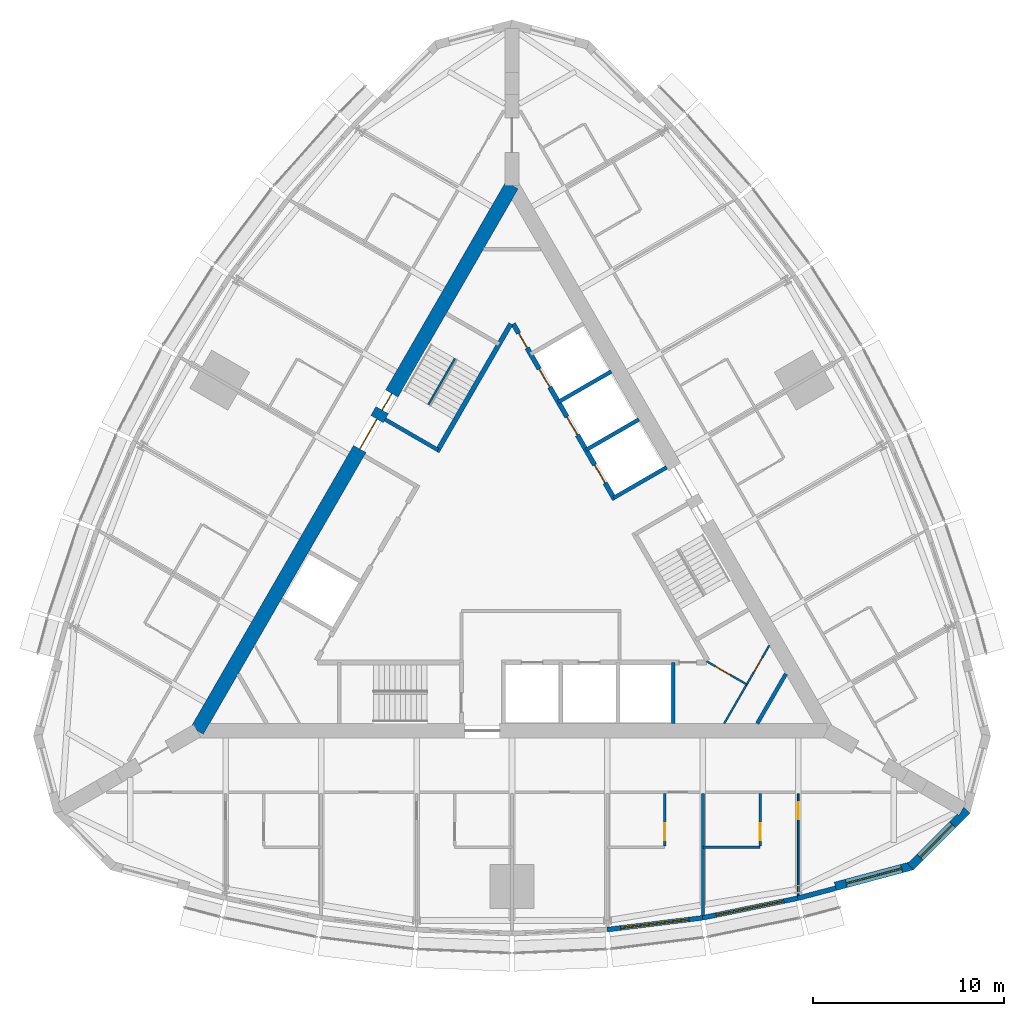
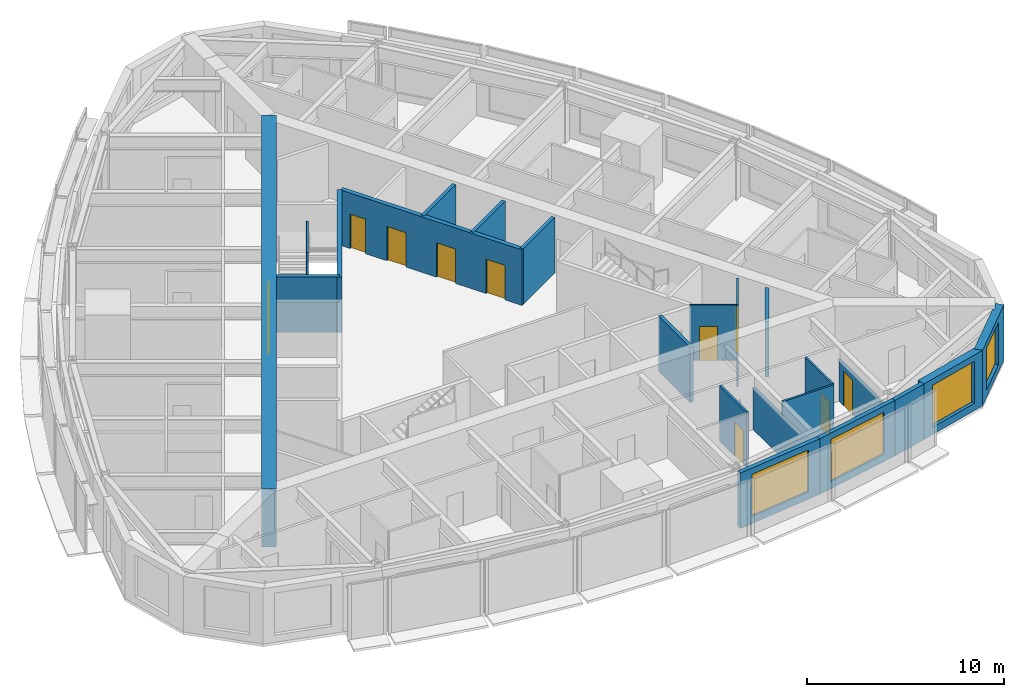
# One storey, part 11 of 15: 22 walls, 11 doors, 4 windows, 15 openings.
"""IFC4 building model written with IfcOpenShell, lengths in metres."""

from ifc_helpers import new_model, si_unit, direction, frame, frame_2d, origin, place, context, subcontext, project, spatial, polyline, rectangle, outline, extrude, material, layer, layer_set, type_object, element, fill, save


model = new_model("IFC4")

# Units and contexts
model_context = context("Model", 3, precision=1e-05, world=origin(), true_north=direction((0.0, 1.0)))
body_context = subcontext(model_context, "Body", "Model", "MODEL_VIEW")
ifc_project = project(units=[si_unit("LENGTHUNIT", "METRE"), si_unit("AREAUNIT", "SQUARE_METRE"), si_unit("VOLUMEUNIT", "CUBIC_METRE"), si_unit("PLANEANGLEUNIT", "RADIAN"), si_unit("MASSUNIT", "GRAM", prefix="KILO")], contexts=[model_context])

# Site, building, storey
site_placement = place(None, origin())
site = spatial("IfcSite", under=ifc_project, at=site_placement, CompositionType="ELEMENT")
building_placement = place(site_placement, origin())
building = spatial("IfcBuilding", under=site, at=building_placement, Name="Trikona Tower", CompositionType="ELEMENT")
storey_placement = place(building_placement, frame((0.0, 0.0, 222.5)))
storey = spatial("IfcBuildingStorey", under=building, at=storey_placement, Name="L59", CompositionType="ELEMENT", Elevation=222.5)

# Wall, opening, door
ifc_material_1 = material(Name="Metal stud and cement board", Category="gypsum")
ifc_layer_1 = layer(ifc_material_1, 0.1201171875)
ifc_layer_set_1 = layer_set([ifc_layer_1], Name="Bathroom wall 120")
wall_type_1 = type_object("IfcWallType", Name="Bathroom wall 120", PredefinedType="PLUMBINGWALL", material=ifc_layer_set_1)
wall_1_placement = place(storey_placement, frame((8.0, -12.826416015625, 0.0), z_axis=(0.0, 0.0, 1.0), x_axis=(0.0, -1.0, 0.0)))
wall_1 = element("IfcWall", 1, at=wall_1_placement, inside=storey, type_object=wall_type_1, Name="Bathroom wall 5903", PredefinedType="PLUMBINGWALL", context=body_context, shape_type="SweptSolid", body=[
    extrude(rectangle(XDim=2.739990234375, YDim=0.1201171875, at=frame_2d((1.3701171875, 0.0))), origin(), (0.0, 0.0, 1.0), 3.43505859375),
])
opening_1_placement = place(wall_1_placement, frame((1.550048828125, 0.0, 0.0)))
opening_1 = element("IfcOpeningElement", 2, at=opening_1_placement, cuts=wall_1, Name="Opening D2", PredefinedType="OPENING", context=body_context, shape_type="SweptSolid", body=[
    extrude(rectangle(XDim=0.89990234375, YDim=2.1298828125, at=frame_2d((0.449951171875, 1.06494140625))), frame((0.0, 0.070068359375, 0.0), z_axis=(0.0, -1.0, 0.0), x_axis=(1.0, 0.0, 0.0)), (0.0, 0.0, 1.0), 0.14013671875),
])
ifc_material_2 = material(Name="Steel door frame with solid-core timber leaf", Category="steel")
door_type_1 = type_object("IfcDoorType", Name="Bathroom door 900x2130", OperationType="SLIDING_TO_LEFT", PredefinedType="DOOR", material=ifc_material_2)
door_1_placement = place(opening_1_placement, origin())
door_1 = element("IfcDoor", 3, at=door_1_placement, inside=storey, type_object=door_type_1, Name="Bathroom door 5903", OperationType="SLIDING_TO_LEFT", OverallHeight=2.1298828125, OverallWidth=0.89990234375, PredefinedType="DOOR", context=body_context, shape_type="SweptSolid", body=[
    extrude(rectangle(XDim=0.89990234375, YDim=2.1298828125, at=frame_2d((0.449951171875, 1.06494140625))), frame((0.0, 0.02490234375, 0.0), z_axis=(0.0, -1.0, 0.0), x_axis=(1.0, 0.0, 0.0)), (0.0, 0.0, 1.0), 0.050048828125),
])
fill(opening_1, door_1)

# Wall
wall_2_placement = place(storey_placement, frame((10.0, -15.626220703125, 0.0), z_axis=(0.0, 0.0, 1.0), x_axis=(1.0, 0.0, 0.0)))
element("IfcWall", 4, at=wall_2_placement, inside=storey, type_object=wall_type_1, Name="Bathroom wall 5904.1", PredefinedType="PLUMBINGWALL", context=body_context, shape_type="SweptSolid", body=[
    extrude(rectangle(XDim=3.0, YDim=0.1201171875, at=frame_2d((1.5, 0.0))), origin(), (0.0, 0.0, 1.0), 3.43505859375),
])

# Wall, opening, door
wall_3_placement = place(storey_placement, frame((13.0, -12.826416015625, 0.0), z_axis=(0.0, 0.0, 1.0), x_axis=(0.0, -1.0, 0.0)))
wall_3 = element("IfcWall", 5, at=wall_3_placement, inside=storey, type_object=wall_type_1, Name="Bathroom wall 5904.1", PredefinedType="PLUMBINGWALL", context=body_context, shape_type="SweptSolid", body=[
    extrude(rectangle(XDim=2.739990234375, YDim=0.1201171875, at=frame_2d((1.3701171875, 0.0))), origin(), (0.0, 0.0, 1.0), 3.43505859375),
])
opening_2_placement = place(wall_3_placement, frame((1.550048828125, 0.0, 0.0)))
opening_2 = element("IfcOpeningElement", 6, at=opening_2_placement, cuts=wall_3, Name="Opening D2", PredefinedType="OPENING", context=body_context, shape_type="SweptSolid", body=[
    extrude(rectangle(XDim=0.89990234375, YDim=2.1298828125, at=frame_2d((0.449951171875, 1.06494140625))), frame((0.0, 0.070068359375, 0.0), z_axis=(0.0, -1.0, 0.0), x_axis=(1.0, 0.0, 0.0)), (0.0, 0.0, 1.0), 0.14013671875),
])
door_2_placement = place(opening_2_placement, origin())
door_2 = element("IfcDoor", 7, at=door_2_placement, inside=storey, type_object=door_type_1, Name="Bathroom door 5904.1", OperationType="SLIDING_TO_LEFT", OverallHeight=2.1298828125, OverallWidth=0.89990234375, PredefinedType="DOOR", context=body_context, shape_type="SweptSolid", body=[
    extrude(rectangle(XDim=0.89990234375, YDim=2.1298828125, at=frame_2d((0.449951171875, 1.06494140625))), frame((0.0, 0.02490234375, 0.0), z_axis=(0.0, -1.0, 0.0), x_axis=(1.0, 0.0, 0.0)), (0.0, 0.0, 1.0), 0.050048828125),
])
fill(opening_2, door_2)

# Wall, opening, window
ifc_material_3 = material(Name="Brick-faced precast concrete", Category="masonry")
ifc_layer_2 = layer(ifc_material_3, 0.449951171875)
ifc_layer_set_2 = layer_set([ifc_layer_2], Name="Brick-faced corner wall 450")
wall_type_2 = type_object("IfcWallType", Name="Brick-faced corner wall 450", PredefinedType="SOLIDWALL", material=ifc_layer_set_2)
wall_4_placement = place(storey_placement, frame((16.94189453125, -17.6806640625, 0.0), z_axis=(0.0, 0.0, 1.0), x_axis=(0.965920442324, 0.258839137498, 0.0)))
wall_4 = element("IfcWall", 8, at=wall_4_placement, inside=storey, type_object=wall_type_2, Name="External wall L59-08", PredefinedType="SOLIDWALL", context=body_context, shape_type="SweptSolid", body=[
    extrude(rectangle(XDim=4.18408203125, YDim=0.449951171875, at=frame_2d((2.092041015625, 0.0))), origin(), (0.0, 0.0, 1.0), 3.43505859375),
])
opening_3_placement = place(wall_4_placement, frame((0.592041015625, 0.0, 0.449951171875)))
opening_3 = element("IfcOpeningElement", 9, at=opening_3_placement, cuts=wall_4, Name="Opening W3026", PredefinedType="OPENING", context=body_context, shape_type="SweptSolid", body=[
    extrude(rectangle(XDim=3.0, YDim=2.60009765625, at=frame_2d((1.5, 1.300048828125))), frame((0.0, 0.23486328125, 0.0), z_axis=(0.0, -1.0, 0.0), x_axis=(1.0, 0.0, 0.0)), (0.0, 0.0, 1.0), 0.469970703125),
])
ifc_material_4 = material(Name="Aluminium-framed double glazing", Category="aluminium")
window_type_1 = type_object("IfcWindowType", Name="Window 3000x2600", PartitioningType="SINGLE_PANEL", PredefinedType="WINDOW", material=ifc_material_4)
window_1_placement = place(opening_3_placement, origin())
window_1 = element("IfcWindow", 10, at=window_1_placement, inside=storey, type_object=window_type_1, Name="Window 5904", OverallHeight=2.60009765625, OverallWidth=3.0, PartitioningType="SINGLE_PANEL", PredefinedType="WINDOW", context=body_context, shape_type="SweptSolid", body=[
    extrude(rectangle(XDim=3.0, YDim=2.60009765625, at=frame_2d((1.5, 1.300048828125))), frame((0.0, 0.030029296875, 0.0), z_axis=(0.0, -1.0, 0.0), x_axis=(1.0, 0.0, 0.0)), (0.0, 0.0, 1.0), 0.06005859375),
])
fill(opening_3, window_1)

wall_5_placement = place(storey_placement, frame((20.88232421875, -16.656005859375, 0.0), z_axis=(0.0, 0.0, 1.0), x_axis=(0.707077605902, 0.707135955267, 0.0)))
wall_5 = element("IfcWall", 11, at=wall_5_placement, inside=storey, type_object=wall_type_2, Name="External wall L59-09", PredefinedType="SOLIDWALL", context=body_context, shape_type="SweptSolid", body=[
    extrude(outline(polyline([(4.18408203125, 0.22509765625), (4.125244140625, 0.22509765625), (3.705322265625, 0.112548828125), (3.67529296875, 0.22509765625), (0.0, 0.22509765625), (0.0, -0.22509765625), (4.18408203125, -0.22509765625), (4.18408203125, 0.22509765625)])), origin(), (0.0, 0.0, 1.0), 3.43505859375),
])
opening_4_placement = place(wall_5_placement, frame((0.712646484375, 0.0, 0.449951171875)))
opening_4 = element("IfcOpeningElement", 12, at=opening_4_placement, cuts=wall_5, Name="Opening W2426", PredefinedType="OPENING", context=body_context, shape_type="SweptSolid", body=[
    extrude(rectangle(XDim=2.39990234375, YDim=2.60009765625, at=frame_2d((1.199951171875, 1.300048828125))), frame((0.0, 0.23486328125, 0.0), z_axis=(0.0, -1.0, 0.0), x_axis=(1.0, 0.0, 0.0)), (0.0, 0.0, 1.0), 0.469970703125),
])
ifc_material_5 = material(Name="Aluminium-framed double glazing", Category="aluminium")
window_type_2 = type_object("IfcWindowType", Name="Window 2400x2600", PartitioningType="SINGLE_PANEL", PredefinedType="WINDOW", material=ifc_material_5)
window_2_placement = place(opening_4_placement, origin())
window_2 = element("IfcWindow", 13, at=window_2_placement, inside=storey, type_object=window_type_2, Name="Window 5904", OverallHeight=2.60009765625, OverallWidth=2.39990234375, PartitioningType="SINGLE_PANEL", PredefinedType="WINDOW", context=body_context, shape_type="SweptSolid", body=[
    extrude(rectangle(XDim=2.39990234375, YDim=2.60009765625, at=frame_2d((1.199951171875, 1.300048828125))), frame((0.0, 0.030029296875, 0.0), z_axis=(0.0, -1.0, 0.0), x_axis=(1.0, 0.0, 0.0)), (0.0, 0.0, 1.0), 0.06005859375),
])
fill(opening_4, window_2)

# Wall, openings, doors
ifc_material_6 = material(Name="Concrete f'c 10000 psi", Category="concrete")
ifc_layer_3 = layer(ifc_material_6, 0.75)
ifc_layer_set_3 = layer_set([ifc_layer_3], Name="Core wall 750")
wall_type_3 = type_object("IfcWallType", Name="Core wall 750", PredefinedType="SHEAR", material=ifc_layer_set_3)
wall_6_placement = place(storey_placement, frame((0.0, 19.052490234375, 0.0), z_axis=(0.0, 0.0, 1.0), x_axis=(-0.499999749417, -0.866025548458, 0.0)))
wall_6 = element("IfcWall", 14, at=wall_6_placement, inside=storey, type_object=wall_type_3, Name="Core wall C", PredefinedType="SHEAR", context=body_context, shape_type="SweptSolid", body=[
    extrude(rectangle(XDim=33.0, YDim=0.75, at=frame_2d((16.5, 0.0))), origin(), (0.0, 0.0, 1.0), 3.60009765625),
])
opening_5_placement = place(wall_6_placement, frame((14.14990234375, 0.0, 0.0)))
opening_5 = element("IfcOpeningElement", 15, at=opening_5_placement, cuts=wall_6, Name="Opening D6", PredefinedType="OPENING", context=body_context, shape_type="SweptSolid", body=[
    extrude(rectangle(XDim=1.800048828125, YDim=2.1298828125, at=frame_2d((0.89990234375, 1.06494140625))), frame((0.0, 0.385009765625, 0.0), z_axis=(0.0, -1.0, 0.0), x_axis=(1.0, 0.0, 0.0)), (0.0, 0.0, 1.0), 0.77001953125),
])
opening_6_placement = place(wall_6_placement, frame((12.60009765625, 0.0, 0.0)))
opening_6 = element("IfcOpeningElement", 16, at=opening_6_placement, cuts=wall_6, Name="Opening D5", PredefinedType="OPENING", context=body_context, shape_type="SweptSolid", body=[
    extrude(rectangle(XDim=1.0, YDim=2.1298828125, at=frame_2d((0.5, 1.06494140625))), frame((0.0, 0.385009765625, 0.0), z_axis=(0.0, -1.0, 0.0), x_axis=(1.0, 0.0, 0.0)), (0.0, 0.0, 1.0), 0.77001953125),
])
ifc_material_7 = material(Name="Hollow metal door and frame", Category="steel")
door_type_2 = type_object("IfcDoorType", Name="Lobby door pair 1800x2130", OperationType="DOUBLE_DOOR_SINGLE_SWING", PredefinedType="DOOR", material=ifc_material_7)
door_3_placement = place(opening_5_placement, origin())
door_3 = element("IfcDoor", 17, at=door_3_placement, inside=storey, type_object=door_type_2, Name="Lift lobby door C", OperationType="DOUBLE_DOOR_SINGLE_SWING", OverallHeight=2.1298828125, OverallWidth=1.800048828125, PredefinedType="DOOR", context=body_context, shape_type="SweptSolid", body=[
    extrude(rectangle(XDim=1.800048828125, YDim=2.1298828125, at=frame_2d((0.89990234375, 1.06494140625))), frame((0.0, 0.02490234375, 0.0), z_axis=(0.0, -1.0, 0.0), x_axis=(1.0, 0.0, 0.0)), (0.0, 0.0, 1.0), 0.050048828125),
])
fill(opening_5, door_3)
ifc_material_8 = material(Name="Hollow metal door and frame", Category="steel")
door_type_3 = type_object("IfcDoorType", Name="Stair door 1000x2130", OperationType="SINGLE_SWING_LEFT", PredefinedType="DOOR", material=ifc_material_8)
door_4_placement = place(opening_6_placement, origin())
door_4 = element("IfcDoor", 18, at=door_4_placement, inside=storey, type_object=door_type_3, Name="Stair C door", OperationType="SINGLE_SWING_RIGHT", OverallHeight=2.1298828125, OverallWidth=1.0, PredefinedType="DOOR", context=body_context, shape_type="SweptSolid", body=[
    extrude(rectangle(XDim=1.0, YDim=2.1298828125, at=frame_2d((0.5, 1.06494140625))), frame((0.0, 0.02490234375, 0.0), z_axis=(0.0, -1.0, 0.0), x_axis=(1.0, 0.0, 0.0)), (0.0, 0.0, 1.0), 0.050048828125),
])
fill(opening_6, door_4)

ifc_material_9 = material(Name="Concrete f'c 8000 psi", Category="concrete")
ifc_layer_4 = layer(ifc_material_9, 0.25)
ifc_layer_set_4 = layer_set([ifc_layer_4], Name="Hub wall 250")
wall_type_4 = type_object("IfcWallType", Name="Hub wall 250", PredefinedType="SOLIDWALL", material=ifc_layer_set_4)
wall_7_placement = place(storey_placement, frame((5.37890625, 2.5859375, 0.0), z_axis=(0.0, 0.0, 1.0), x_axis=(-0.500001375892, 0.866024609411, 0.0)))
wall_7 = element("IfcWall", 19, at=wall_7_placement, inside=storey, type_object=wall_type_4, Name="Lift lobby wall B2", PredefinedType="SOLIDWALL", context=body_context, shape_type="SweptSolid", body=[
    extrude(rectangle(XDim=10.6328125, YDim=0.25, at=frame_2d((5.31640625, 0.0))), origin(), (0.0, 0.0, 1.0), 3.43505859375),
])
opening_7_placement = place(wall_7_placement, frame((9.1640625, 0.0, 0.0)))
opening_7 = element("IfcOpeningElement", 20, at=opening_7_placement, cuts=wall_7, Name="Opening D14", PredefinedType="OPENING", context=body_context, shape_type="SweptSolid", body=[
    extrude(rectangle(XDim=0.89990234375, YDim=2.1298828125, at=frame_2d((0.449951171875, 1.06494140625))), frame((0.0, 0.135009765625, 0.0), z_axis=(0.0, -1.0, 0.0), x_axis=(1.0, 0.0, 0.0)), (0.0, 0.0, 1.0), 0.27001953125),
])
opening_8_placement = place(wall_7_placement, frame((1.0, 0.0, 0.0)))
opening_8 = element("IfcOpeningElement", 21, at=opening_8_placement, cuts=wall_7, Name="Opening LD", PredefinedType="OPENING", context=body_context, shape_type="SweptSolid", body=[
    extrude(rectangle(XDim=1.10009765625, YDim=2.1298828125, at=frame_2d((0.550048828125, 1.06494140625))), frame((0.0, 0.135009765625, 0.0), z_axis=(0.0, -1.0, 0.0), x_axis=(1.0, 0.0, 0.0)), (0.0, 0.0, 1.0), 0.27001953125),
])
opening_9_placement = place(wall_7_placement, frame((3.89990234375, 0.0, 0.0)))
opening_9 = element("IfcOpeningElement", 22, at=opening_9_placement, cuts=wall_7, Name="Opening LD", PredefinedType="OPENING", context=body_context, shape_type="SweptSolid", body=[
    extrude(rectangle(XDim=1.10009765625, YDim=2.1298828125, at=frame_2d((0.550048828125, 1.06494140625))), frame((0.0, 0.135009765625, 0.0), z_axis=(0.0, -1.0, 0.0), x_axis=(1.0, 0.0, 0.0)), (0.0, 0.0, 1.0), 0.27001953125),
])
opening_10_placement = place(wall_7_placement, frame((6.800048828125, 0.0, 0.0)))
opening_10 = element("IfcOpeningElement", 23, at=opening_10_placement, cuts=wall_7, Name="Opening LD", PredefinedType="OPENING", context=body_context, shape_type="SweptSolid", body=[
    extrude(rectangle(XDim=1.10009765625, YDim=2.1298828125, at=frame_2d((0.550048828125, 1.06494140625))), frame((0.0, 0.135009765625, 0.0), z_axis=(0.0, -1.0, 0.0), x_axis=(1.0, 0.0, 0.0)), (0.0, 0.0, 1.0), 0.27001953125),
])
ifc_material_10 = material(Name="Stainless steel lift landing door", Category="steel")
door_type_4 = type_object("IfcDoorType", Name="Lift landing door 1100x2130", OperationType="DOUBLE_DOOR_SLIDING", PredefinedType="USERDEFINED", material=ifc_material_10)
door_5_placement = place(opening_8_placement, origin())
door_5 = element("IfcDoor", 24, at=door_5_placement, inside=storey, type_object=door_type_4, Name="Lift landing door L3-1", ObjectType="LIFT LANDING DOOR", OperationType="DOUBLE_DOOR_SLIDING", OverallHeight=2.1298828125, OverallWidth=1.10009765625, PredefinedType="USERDEFINED", context=body_context, shape_type="SweptSolid", body=[
    extrude(rectangle(XDim=1.10009765625, YDim=2.1298828125, at=frame_2d((0.550048828125, 1.06494140625))), frame((0.0, 0.02490234375, 0.0), z_axis=(0.0, -1.0, 0.0), x_axis=(1.0, 0.0, 0.0)), (0.0, 0.0, 1.0), 0.050048828125),
])
fill(opening_8, door_5)
door_6_placement = place(opening_9_placement, origin())
door_6 = element("IfcDoor", 25, at=door_6_placement, inside=storey, type_object=door_type_4, Name="Lift landing door L3-2", ObjectType="LIFT LANDING DOOR", OperationType="DOUBLE_DOOR_SLIDING", OverallHeight=2.1298828125, OverallWidth=1.10009765625, PredefinedType="USERDEFINED", context=body_context, shape_type="SweptSolid", body=[
    extrude(rectangle(XDim=1.10009765625, YDim=2.1298828125, at=frame_2d((0.550048828125, 1.06494140625))), frame((0.0, 0.02490234375, 0.0), z_axis=(0.0, -1.0, 0.0), x_axis=(1.0, 0.0, 0.0)), (0.0, 0.0, 1.0), 0.050048828125),
])
fill(opening_9, door_6)
door_7_placement = place(opening_10_placement, origin())
door_7 = element("IfcDoor", 26, at=door_7_placement, inside=storey, type_object=door_type_4, Name="Lift landing door L3-3", ObjectType="LIFT LANDING DOOR", OperationType="DOUBLE_DOOR_SLIDING", OverallHeight=2.1298828125, OverallWidth=1.10009765625, PredefinedType="USERDEFINED", context=body_context, shape_type="SweptSolid", body=[
    extrude(rectangle(XDim=1.10009765625, YDim=2.1298828125, at=frame_2d((0.550048828125, 1.06494140625))), frame((0.0, 0.02490234375, 0.0), z_axis=(0.0, -1.0, 0.0), x_axis=(1.0, 0.0, 0.0)), (0.0, 0.0, 1.0), 0.050048828125),
])
fill(opening_10, door_7)
ifc_material_11 = material(Name="Hollow metal door and frame", Category="steel")
door_type_5 = type_object("IfcDoorType", Name="Service room door 900x2130", OperationType="SINGLE_SWING_LEFT", PredefinedType="DOOR", material=ifc_material_11)
door_8_placement = place(opening_7_placement, origin())
door_8 = element("IfcDoor", 27, at=door_8_placement, inside=storey, type_object=door_type_5, Name="Door Housekeeping store HKS", OperationType="SINGLE_SWING_RIGHT", OverallHeight=2.1298828125, OverallWidth=0.89990234375, PredefinedType="DOOR", context=body_context, shape_type="SweptSolid", body=[
    extrude(rectangle(XDim=0.89990234375, YDim=2.1298828125, at=frame_2d((0.449951171875, 1.06494140625))), frame((0.0, 0.02490234375, 0.0), z_axis=(0.0, -1.0, 0.0), x_axis=(1.0, 0.0, 0.0)), (0.0, 0.0, 1.0), 0.050048828125),
])
fill(opening_7, door_8)

# Wall
wall_8_placement = place(storey_placement, frame((-0.0625, 11.794189453125, 0.0), z_axis=(0.0, 0.0, 1.0), x_axis=(-0.500006680225, -0.86602154692, 0.0)))
element("IfcWall", 28, at=wall_8_placement, inside=storey, type_object=wall_type_4, Name="Lift lobby wall C1", PredefinedType="SOLIDWALL", context=body_context, shape_type="SweptSolid", body=[
    extrude(rectangle(XDim=7.73291015625, YDim=0.25, at=frame_2d((3.866455078125, 0.0))), origin(), (0.0, 0.0, 1.0), 3.43505859375),
])

# Wall, opening, window
ifc_material_12 = material(Name="Insulated precast concrete spandrel panel", Category="concrete")
ifc_layer_5 = layer(ifc_material_12, 0.25)
ifc_layer_set_5 = layer_set([ifc_layer_5], Name="Inner skin wall 250")
wall_type_5 = type_object("IfcWallType", Name="Inner skin wall 250", PredefinedType="STANDARD", material=ifc_layer_set_5)
wall_9_placement = place(storey_placement, frame((4.984619140625, -19.947998046875, 0.0), z_axis=(0.0, 0.0, 1.0), x_axis=(0.992449874964, 0.12265090984, 0.0)))
wall_9 = element("IfcWall", 29, at=wall_9_placement, inside=storey, type_object=wall_type_5, Name="External wall L59-05", PredefinedType="STANDARD", context=body_context, shape_type="SweptSolid", body=[
    extrude(rectangle(XDim=5.0380859375, YDim=0.25, at=frame_2d((2.51904296875, 0.0))), origin(), (0.0, 0.0, 1.0), 3.43505859375),
])
opening_11_placement = place(wall_9_placement, frame((0.718994140625, 0.0, 0.449951171875)))
opening_11 = element("IfcOpeningElement", 30, at=opening_11_placement, cuts=wall_9, Name="Opening W3626", PredefinedType="OPENING", context=body_context, shape_type="SweptSolid", body=[
    extrude(rectangle(XDim=3.60009765625, YDim=2.60009765625, at=frame_2d((1.800048828125, 1.300048828125))), frame((0.0, 0.135009765625, 0.0), z_axis=(0.0, -1.0, 0.0), x_axis=(1.0, 0.0, 0.0)), (0.0, 0.0, 1.0), 0.27001953125),
])
ifc_material_13 = material(Name="Aluminium-framed double glazing", Category="aluminium")
window_type_3 = type_object("IfcWindowType", Name="Window 3600x2600", PartitioningType="SINGLE_PANEL", PredefinedType="WINDOW", material=ifc_material_13)
window_3_placement = place(opening_11_placement, origin())
window_3 = element("IfcWindow", 31, at=window_3_placement, inside=storey, type_object=window_type_3, Name="Window 5903", OverallHeight=2.60009765625, OverallWidth=3.60009765625, PartitioningType="SINGLE_PANEL", PredefinedType="WINDOW", context=body_context, shape_type="SweptSolid", body=[
    extrude(rectangle(XDim=3.60009765625, YDim=2.60009765625, at=frame_2d((1.800048828125, 1.300048828125))), frame((0.0, 0.030029296875, 0.0), z_axis=(0.0, -1.0, 0.0), x_axis=(1.0, 0.0, 0.0)), (0.0, 0.0, 1.0), 0.06005859375),
])
fill(opening_11, window_3)

wall_10_placement = place(storey_placement, frame((9.974853515625, -19.331787109375, 0.0), z_axis=(0.0, 0.0, 1.0), x_axis=(0.979461488189, 0.201631329795, 0.0)))
wall_10 = element("IfcWall", 32, at=wall_10_placement, inside=storey, type_object=wall_type_5, Name="External wall L59-06", PredefinedType="STANDARD", context=body_context, shape_type="SweptSolid", body=[
    extrude(rectangle(XDim=5.104736328125, YDim=0.25, at=frame_2d((2.55224609375, 0.0))), origin(), (0.0, 0.0, 1.0), 3.43505859375),
])
opening_12_placement = place(wall_10_placement, frame((0.75244140625, 0.0, 0.449951171875)))
opening_12 = element("IfcOpeningElement", 33, at=opening_12_placement, cuts=wall_10, Name="Opening W3626", PredefinedType="OPENING", context=body_context, shape_type="SweptSolid", body=[
    extrude(rectangle(XDim=3.60009765625, YDim=2.60009765625, at=frame_2d((1.800048828125, 1.300048828125))), frame((0.0, 0.135009765625, 0.0), z_axis=(0.0, -1.0, 0.0), x_axis=(1.0, 0.0, 0.0)), (0.0, 0.0, 1.0), 0.27001953125),
])
window_4_placement = place(opening_12_placement, origin())
window_4 = element("IfcWindow", 34, at=window_4_placement, inside=storey, type_object=window_type_3, Name="Window 5904.1", OverallHeight=2.60009765625, OverallWidth=3.60009765625, PartitioningType="SINGLE_PANEL", PredefinedType="WINDOW", context=body_context, shape_type="SweptSolid", body=[
    extrude(rectangle(XDim=3.60009765625, YDim=2.60009765625, at=frame_2d((1.800048828125, 1.300048828125))), frame((0.0, 0.030029296875, 0.0), z_axis=(0.0, -1.0, 0.0), x_axis=(1.0, 0.0, 0.0)), (0.0, 0.0, 1.0), 0.06005859375),
])
fill(opening_12, window_4)

# Walls
wall_11_placement = place(storey_placement, frame((14.968017578125, -18.303955078125, 0.0), z_axis=(0.0, 0.0, 1.0), x_axis=(0.967010286052, 0.254737328772, 0.0)))
element("IfcWall", 35, at=wall_11_placement, inside=storey, type_object=wall_type_5, Name="External wall L59-07", PredefinedType="STANDARD", context=body_context, shape_type="SweptSolid", body=[
    extrude(rectangle(XDim=2.068115234375, YDim=0.25, at=frame_2d((1.0341796875, 0.0))), origin(), (0.0, 0.0, 1.0), 3.43505859375),
])
ifc_material_14 = material(Name="Metal stud and gypsum board, 1-hour acoustic", Category="gypsum")
ifc_layer_6 = layer(ifc_material_14, 0.14990234375)
ifc_layer_set_6 = layer_set([ifc_layer_6], Name="Party wall 150")
wall_type_6 = type_object("IfcWallType", Name="Party wall 150", PredefinedType="PARTITIONING", material=ifc_layer_set_6)
wall_12_placement = place(storey_placement, frame((10.0, -12.826416015625, 0.0), z_axis=(0.0, 0.0, 1.0), x_axis=(0.0, -1.0, 0.0)))
element("IfcWall", 36, at=wall_12_placement, inside=storey, type_object=wall_type_6, Name="Partition L59 F1 u10", PredefinedType="PARTITIONING", context=body_context, shape_type="SweptSolid", body=[
    extrude(rectangle(XDim=6.372802734375, YDim=0.14990234375, at=frame_2d((3.1865234375, 0.0))), origin(), (0.0, 0.0, 1.0), 2.589111328125),
])
ifc_material_15 = material(Name="Concrete f'c 8000 psi", Category="concrete")
ifc_layer_7 = layer(ifc_material_15, 0.199951171875)
ifc_layer_set_7 = layer_set([ifc_layer_7], Name="Shaft wall 200")
wall_type_7 = type_object("IfcWallType", Name="Shaft wall 200", PredefinedType="SOLIDWALL", material=ifc_layer_set_7)
wall_13_placement = place(storey_placement, frame((8.449951171875, -5.951416015625, 0.0), z_axis=(0.0, 0.0, 1.0), x_axis=(0.0, -1.0, 0.0)))
element("IfcWall", 37, at=wall_13_placement, inside=storey, type_object=wall_type_7, Name="Shaft wall A6", PredefinedType="SOLIDWALL", context=body_context, shape_type="SweptSolid", body=[
    extrude(rectangle(XDim=3.199951171875, YDim=0.199951171875, at=frame_2d((1.60009765625, 0.0))), origin(), (0.0, 0.0, 1.0), 3.43505859375),
])
wall_14_placement = place(storey_placement, frame((5.3291015625, 2.672607421875, 0.0), z_axis=(0.0, 0.0, 1.0), x_axis=(0.866022944154, 0.50000426018, 0.0)))
element("IfcWall", 38, at=wall_14_placement, inside=storey, type_object=wall_type_7, Name="Shaft wall B3", PredefinedType="SOLIDWALL", context=body_context, shape_type="SweptSolid", body=[
    extrude(rectangle(XDim=3.19970703125, YDim=0.199951171875, at=frame_2d((1.599853515625, 0.0))), origin(), (0.0, 0.0, 1.0), 3.43505859375),
])
for number, where, z_axis, x_axis, name in (
    (39, (3.87890625, 5.18408203125, 0.0), (0.0, 0.0, 1.0), (0.866042017984, 0.499971222258, 0.0), "Shaft wall B4"),
    (40, (2.428955078125, 7.695556640625, 0.0), (0.0, 0.0, 1.0), (0.866042017984, 0.499971222258, 0.0), "Shaft wall B5"),
):
    element("IfcWall", number, at=place(storey_placement, frame(where, z_axis=z_axis, x_axis=x_axis)), inside=storey, type_object=wall_type_7, Name=name, PredefinedType="SOLIDWALL", context=body_context, shape_type="SweptSolid", body=[
        extrude(rectangle(XDim=3.199951171875, YDim=0.199951171875, at=frame_2d((1.60009765625, 0.0))), origin(), (0.0, 0.0, 1.0), 3.43505859375),
    ])
wall_15_placement = place(storey_placement, frame((14.349365234375, -6.55126953125, 0.0), z_axis=(0.0, 0.0, 1.0), x_axis=(-0.499952404951, -0.866052881055, 0.0)))
element("IfcWall", 41, at=wall_15_placement, inside=storey, type_object=wall_type_7, Name="Riser wall L59-RS1", PredefinedType="SOLIDWALL", context=body_context, shape_type="SweptSolid", body=[
    extrude(rectangle(XDim=3.002197265625, YDim=0.199951171875, at=frame_2d((1.5009765625, 0.0))), origin(), (0.0, 0.0, 1.0), 3.43505859375),
])
ifc_material_16 = material(Name="Concrete f'c 8000 psi", Category="concrete")
ifc_layer_8 = layer(ifc_material_16, 0.199951171875)
ifc_layer_set_8 = layer_set([ifc_layer_8], Name="Shaft wall 200 load-bearing")
wall_type_8 = type_object("IfcWallType", Name="Shaft wall 200 load-bearing", PredefinedType="SOLIDWALL", material=ifc_layer_set_8)
wall_16_placement = place(storey_placement, frame((-3.87890625, 5.18408203125, 0.0), z_axis=(0.0, 0.0, 1.0), x_axis=(-0.866042017984, 0.499971222258, 0.0)))
element("IfcWall", 42, at=wall_16_placement, inside=storey, type_object=wall_type_8, Name="Shaft wall C2", PredefinedType="SOLIDWALL", context=body_context, shape_type="SweptSolid", body=[
    extrude(rectangle(XDim=3.199951171875, YDim=0.199951171875, at=frame_2d((1.60009765625, 0.0))), origin(), (0.0, 0.0, 1.0), 3.43505859375),
])
ifc_material_17 = material(Name="Concrete f'c 5000 psi", Category="concrete")
ifc_layer_9 = layer(ifc_material_17, 0.10009765625)
ifc_layer_set_9 = layer_set([ifc_layer_9], Name="Stair spine wall 100")
wall_type_9 = type_object("IfcWallType", Name="Stair spine wall 100", PredefinedType="SOLIDWALL", material=ifc_layer_set_9)
wall_17_placement = place(storey_placement, frame((-2.98779296875, 9.9775390625, 0.0), z_axis=(0.0, 0.0, 1.0), x_axis=(-0.499992232847, -0.866029888106, 0.0)))
element("IfcWall", 43, at=wall_17_placement, inside=storey, type_object=wall_type_9, Name="Stair C spine wall L59", PredefinedType="SOLIDWALL", context=body_context, shape_type="SweptSolid", body=[
    extrude(rectangle(XDim=2.7939453125, YDim=0.10009765625, at=frame_2d((1.39697265625, 0.0))), origin(), (0.0, 0.0, 1.0), 3.60009765625),
])

# Wall, opening, door
ifc_material_18 = material(Name="Metal stud and gypsum board, acoustic", Category="gypsum")
ifc_layer_10 = layer(ifc_material_18, 0.10009765625)
ifc_layer_set_10 = layer_set([ifc_layer_10], Name="Suite partition 100")
wall_type_10 = type_object("IfcWallType", Name="Suite partition 100", PredefinedType="PARTITIONING", material=ifc_layer_set_10)
wall_18_placement = place(storey_placement, frame((15.0, -12.826416015625, 0.0), z_axis=(0.0, 0.0, 1.0), x_axis=(0.0, -1.0, 0.0)))
wall_18 = element("IfcWall", 44, at=wall_18_placement, inside=storey, type_object=wall_type_10, Name="Suite partition L59 F1 u15", PredefinedType="PARTITIONING", context=body_context, shape_type="SweptSolid", body=[
    extrude(rectangle(XDim=5.340087890625, YDim=0.10009765625, at=frame_2d((2.669921875, 0.0))), origin(), (0.0, 0.0, 1.0), 2.589111328125),
])
opening_13_placement = place(wall_18_placement, frame((0.449951171875, 0.0, 0.0)))
opening_13 = element("IfcOpeningElement", 45, at=opening_13_placement, cuts=wall_18, Name="Opening D13", PredefinedType="OPENING", context=body_context, shape_type="SweptSolid", body=[
    extrude(rectangle(XDim=0.89990234375, YDim=2.1298828125, at=frame_2d((0.449951171875, 1.06494140625))), frame((0.0, 0.06005859375, 0.0), z_axis=(0.0, -1.0, 0.0), x_axis=(1.0, 0.0, 0.0)), (0.0, 0.0, 1.0), 0.1201171875),
])
ifc_material_19 = material(Name="Steel door frame with solid-core timber leaf", Category="steel")
door_type_6 = type_object("IfcDoorType", Name="Suite door 900x2130", OperationType="SINGLE_SWING_LEFT", PredefinedType="DOOR", material=ifc_material_19)
door_9_placement = place(opening_13_placement, origin())
door_9 = element("IfcDoor", 46, at=door_9_placement, inside=storey, type_object=door_type_6, Name="Suite door 5904", OperationType="SINGLE_SWING_LEFT", OverallHeight=2.1298828125, OverallWidth=0.89990234375, PredefinedType="DOOR", context=body_context, shape_type="SweptSolid", body=[
    extrude(rectangle(XDim=0.89990234375, YDim=2.1298828125, at=frame_2d((0.449951171875, 1.06494140625))), frame((0.0, 0.02490234375, 0.0), z_axis=(0.0, -1.0, 0.0), x_axis=(1.0, 0.0, 0.0)), (0.0, 0.0, 1.0), 0.050048828125),
])
fill(opening_13, door_9)

wall_19_placement = place(storey_placement, frame((13.4833984375, -5.05126953125, 0.0), z_axis=(0.0, 0.0, 1.0), x_axis=(-0.499999210213, -0.866025859768, 0.0)))
wall_19 = element("IfcWall", 47, at=wall_19_placement, inside=storey, type_object=wall_type_10, Name="Store partition L59-RS1", PredefinedType="PARTITIONING", context=body_context, shape_type="SweptSolid", body=[
    extrude(rectangle(XDim=4.734375, YDim=0.10009765625, at=frame_2d((2.3671875, 0.0))), origin(), (0.0, 0.0, 1.0), 3.43505859375),
])
opening_14_placement = place(wall_19_placement, frame((0.733642578125, 0.0, 0.0)))
opening_14 = element("IfcOpeningElement", 48, at=opening_14_placement, cuts=wall_19, Name="Opening D15", PredefinedType="OPENING", context=body_context, shape_type="SweptSolid", body=[
    extrude(rectangle(XDim=0.89990234375, YDim=2.1298828125, at=frame_2d((0.449951171875, 1.06494140625))), frame((0.0, 0.06005859375, 0.0), z_axis=(0.0, -1.0, 0.0), x_axis=(1.0, 0.0, 0.0)), (0.0, 0.0, 1.0), 0.1201171875),
])
ifc_material_20 = material(Name="Steel door frame with solid-core timber leaf", Category="steel")
door_type_7 = type_object("IfcDoorType", Name="Store door 900x2130", OperationType="SINGLE_SWING_LEFT", PredefinedType="DOOR", material=ifc_material_20)
door_10_placement = place(opening_14_placement, origin())
door_10 = element("IfcDoor", 49, at=door_10_placement, inside=storey, type_object=door_type_7, Name="Door Storage STO", OperationType="SINGLE_SWING_LEFT", OverallHeight=2.1298828125, OverallWidth=0.89990234375, PredefinedType="DOOR", context=body_context, shape_type="SweptSolid", body=[
    extrude(rectangle(XDim=0.89990234375, YDim=2.1298828125, at=frame_2d((0.449951171875, 1.06494140625))), frame((0.0, 0.02490234375, 0.0), z_axis=(0.0, -1.0, 0.0), x_axis=(1.0, 0.0, 0.0)), (0.0, 0.0, 1.0), 0.050048828125),
])
fill(opening_14, door_10)

wall_20_placement = place(storey_placement, frame((12.2998046875, -7.101318359375, 0.0), z_axis=(0.0, 0.0, 1.0), x_axis=(-0.866022978719, 0.500004200313, 0.0)))
wall_20 = element("IfcWall", 50, at=wall_20_placement, inside=storey, type_object=wall_type_10, Name="Store partition L59-RS1", PredefinedType="PARTITIONING", context=body_context, shape_type="SweptSolid", body=[
    extrude(rectangle(XDim=2.42529296875, YDim=0.10009765625, at=frame_2d((1.212646484375, 0.0))), origin(), (0.0, 0.0, 1.0), 3.43505859375),
])
opening_15_placement = place(wall_20_placement, frame((1.005126953125, 0.0, 0.0)))
opening_15 = element("IfcOpeningElement", 51, at=opening_15_placement, cuts=wall_20, Name="Opening D15", PredefinedType="OPENING", context=body_context, shape_type="SweptSolid", body=[
    extrude(rectangle(XDim=0.89990234375, YDim=2.1298828125, at=frame_2d((0.449951171875, 1.06494140625))), frame((0.0, 0.06005859375, 0.0), z_axis=(0.0, -1.0, 0.0), x_axis=(1.0, 0.0, 0.0)), (0.0, 0.0, 1.0), 0.1201171875),
])
door_11_placement = place(opening_15_placement, origin())
door_11 = element("IfcDoor", 52, at=door_11_placement, inside=storey, type_object=door_type_7, Name="Door Luggage store LUG", OperationType="SINGLE_SWING_RIGHT", OverallHeight=2.1298828125, OverallWidth=0.89990234375, PredefinedType="DOOR", context=body_context, shape_type="SweptSolid", body=[
    extrude(rectangle(XDim=0.89990234375, YDim=2.1298828125, at=frame_2d((0.449951171875, 1.06494140625))), frame((0.0, 0.02490234375, 0.0), z_axis=(0.0, -1.0, 0.0), x_axis=(1.0, 0.0, 0.0)), (0.0, 0.0, 1.0), 0.050048828125),
])
fill(opening_15, door_11)

save(model, "model.ifc")
